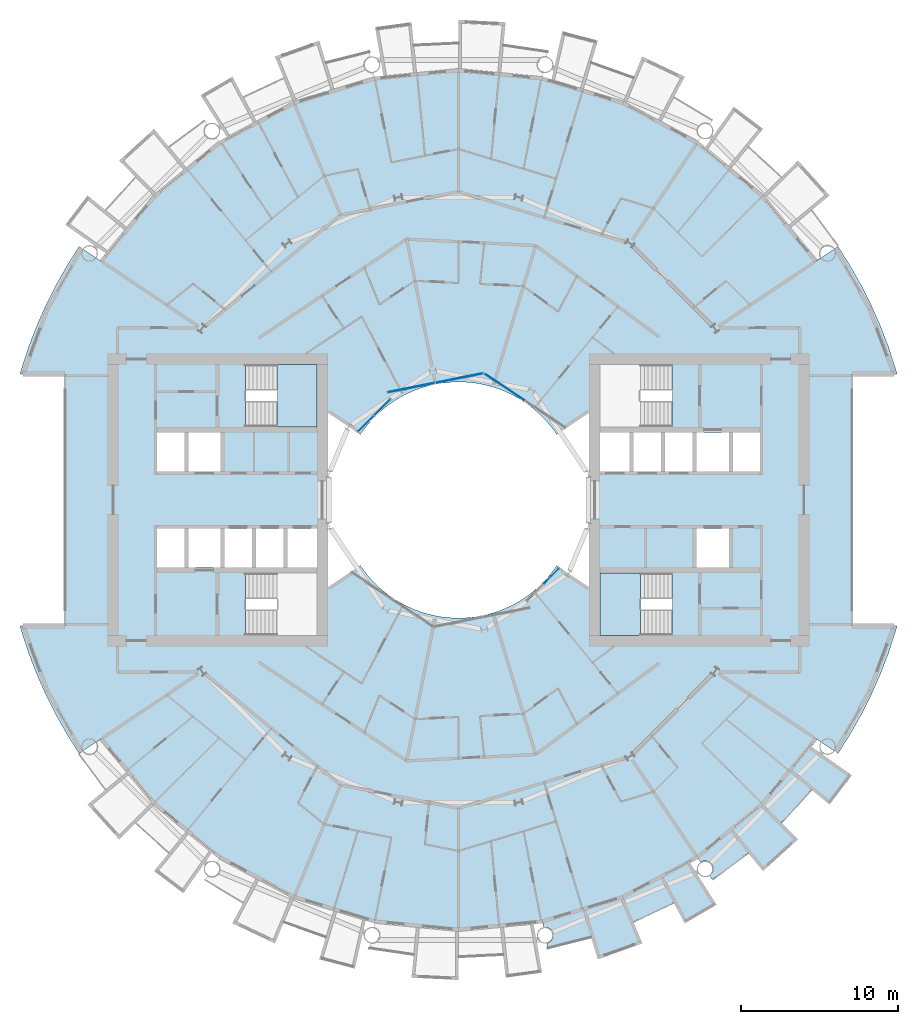
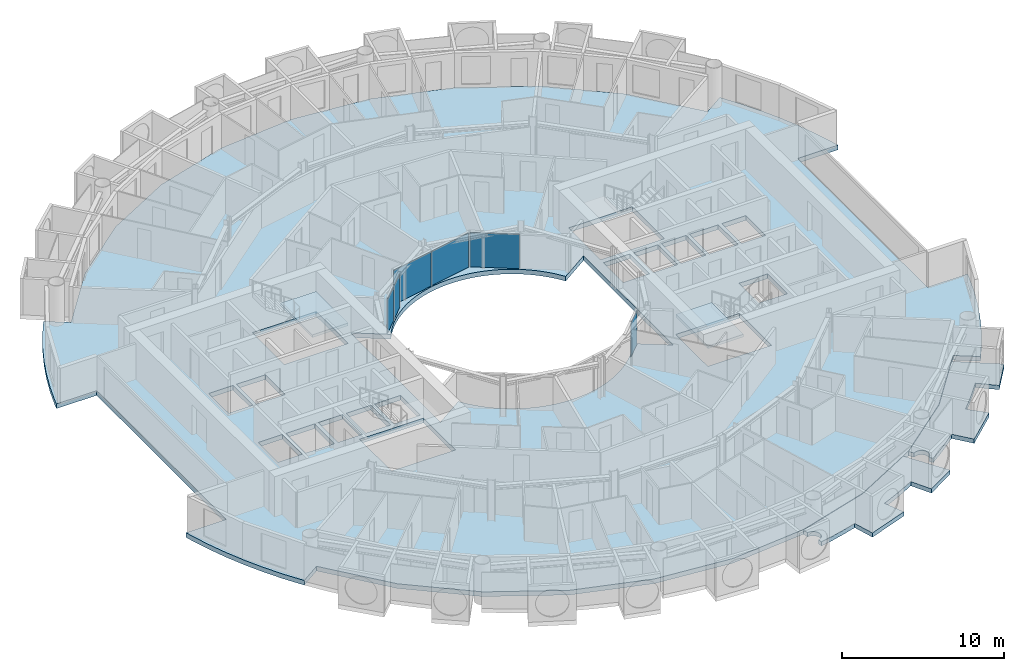
# One storey, part 10 of 26: 6 plates, 5 slabs, 6 elements without a shape of their own.
"""IFC4 building model written with IfcOpenShell, lengths in metres."""

from ifc_helpers import new_model, si_unit, direction, frame, origin, origin_2d, place, context, subcontext, project, spatial, polyline, rectangle, outline, extrude, material, layer, layer_set, type_object, element, aggregate, save


model = new_model("IFC4")

# Units and contexts
model_context = context("Model", 3, precision=1e-05, world=origin(), true_north=direction((0.0, 1.0)))
body_context = subcontext(model_context, "Body", "Model", "MODEL_VIEW")
ifc_project = project(units=[si_unit("LENGTHUNIT", "METRE"), si_unit("AREAUNIT", "SQUARE_METRE"), si_unit("VOLUMEUNIT", "CUBIC_METRE"), si_unit("PLANEANGLEUNIT", "RADIAN"), si_unit("MASSUNIT", "GRAM", prefix="KILO")], contexts=[model_context])

# Site, building, storey
site_placement = place(None, origin())
site = spatial("IfcSite", under=ifc_project, at=site_placement, CompositionType="ELEMENT")
building_placement = place(site_placement, origin())
building = spatial("IfcBuilding", under=site, at=building_placement, Name="Maasbend Ring Residences", CompositionType="ELEMENT")
storey_placement = place(building_placement, frame((0.0, 0.0, 88.0)))
storey = spatial("IfcBuildingStorey", under=building, at=storey_placement, Name="L25", CompositionType="ELEMENT", Elevation=88.0)

# Stair, slab
ifc_material_1 = material(Name="Concrete C40/50", Category="concrete")
stair_type = type_object("IfcStairType", Name="CORE STAIR 18 RISERS", PredefinedType="HALF_TURN_STAIR", material=ifc_material_1)
stair_1_placement = place(storey_placement, origin())
stair_1 = element("IfcStair", 1, at=stair_1_placement, inside=storey, type_object=stair_type, Name="L25 Exit stair ST-E2", PredefinedType="HALF_TURN_STAIR")
ifc_material_2 = material(Name="Concrete C40/50", Category="concrete")
ifc_layer_1 = layer(ifc_material_2, 0.199951171875)
ifc_layer_set_1 = layer_set([ifc_layer_1], Name="Concrete C40/50")
slab_type_1 = type_object("IfcSlabType", Name="CORE STAIR LANDING 200", PredefinedType="LANDING", material=ifc_layer_set_1)
slab_1_placement = place(storey_placement, frame((0.0, 0.0, 1.324951171875)))
slab_1 = element("IfcSlab", 2, at=slab_1_placement, type_object=slab_type_1, Name="ST-E2 landing 1", PredefinedType="LANDING", context=body_context, shape_type="SweptSolid", body=[
    extrude(outline(polyline([(11.550048828125, -4.64990234375), (9.0, -4.64990234375), (9.0, -8.60009765625), (11.550048828125, -8.60009765625), (11.550048828125, -4.64990234375)])), origin(), (0.0, 0.0, 1.0), 0.199951171875),
])
aggregate(stair_1, [slab_1])

stair_2_placement = place(storey_placement, origin())
stair_2 = element("IfcStair", 3, at=stair_2_placement, inside=storey, type_object=stair_type, Name="L25 Exit stair ST-W2", PredefinedType="HALF_TURN_STAIR")
slab_2_placement = place(storey_placement, frame((0.0, 0.0, 1.324951171875)))
slab_2 = element("IfcSlab", 4, at=slab_2_placement, type_object=slab_type_1, Name="ST-W2 landing 1", PredefinedType="LANDING", context=body_context, shape_type="SweptSolid", body=[
    extrude(outline(polyline([(-11.550048828125, 4.64990234375), (-9.0, 4.64990234375), (-9.0, 8.60009765625), (-11.550048828125, 8.60009765625), (-11.550048828125, 4.64990234375)])), origin(), (0.0, 0.0, 1.0), 0.199951171875),
])
aggregate(stair_2, [slab_2])

# Curtain wall, plate
ifc_material_3 = material(Name="Aluminium and clear glass", Category="aluminium")
ifc_layer_2 = layer(ifc_material_3, 0.179931640625)
ifc_layer_set_2 = layer_set([ifc_layer_2], Name="CW-W")
curtain_wall_type = type_object("IfcCurtainWallType", Name="CW-W", PredefinedType="NOTDEFINED", material=ifc_layer_set_2)
curtain_wall_1_placement = place(storey_placement, origin())
curtain_wall_1 = element("IfcCurtainWall", 5, at=curtain_wall_1_placement, inside=storey, type_object=curtain_wall_type, Name="Well curtain wall N1", PredefinedType="NOTDEFINED")
ifc_material_4 = material(Name="Glass clear laminated", Category="glass")
ifc_layer_3 = layer(ifc_material_4, 0.031982421875)
ifc_layer_set_3 = layer_set([ifc_layer_3], Name="CWP-W")
plate_type = type_object("IfcPlateType", Name="CWP-W", PredefinedType="CURTAIN_PANEL", material=ifc_layer_set_3)
plate_1_placement = place(storey_placement, frame((2.922119140625, 7.17578125, 0.0), z_axis=(0.0, 0.0, 1.0), x_axis=(-0.831469612303, 0.55557023302, 0.0)))
plate_1 = element("IfcPlate", 6, at=plate_1_placement, type_object=plate_type, Name="Glass panel well face", PredefinedType="CURTAIN_PANEL", context=body_context, shape_type="SweptSolid", body=[
    extrude(rectangle(XDim=3.053955078125, YDim=0.031982421875, at=origin_2d()), origin(), (0.0, 0.0, 1.0), 2.580078125),
])
aggregate(curtain_wall_1, [plate_1])

# Curtain wall, plates
curtain_wall_2_placement = place(storey_placement, origin())
curtain_wall_2 = element("IfcCurtainWall", 7, at=curtain_wall_2_placement, inside=storey, type_object=curtain_wall_type, Name="Well curtain wall N2", PredefinedType="NOTDEFINED")
plate_2_placement = place(storey_placement, frame((0.04638671875, 7.747802734375, 0.0), z_axis=(0.0, 0.0, 1.0), x_axis=(-0.980785280403, -0.195090322016, 0.0)))
plate_2 = element("IfcPlate", 8, at=plate_2_placement, type_object=plate_type, Name="Glass panel well face", PredefinedType="CURTAIN_PANEL", context=body_context, shape_type="SweptSolid", body=[
    extrude(rectangle(XDim=3.053955078125, YDim=0.031982421875, at=origin_2d()), origin(), (0.0, 0.0, 1.0), 2.580078125),
])
plate_3_placement = place(storey_placement, frame((-3.0078125, 7.140380859375, 0.0), z_axis=(0.0, 0.0, 1.0), x_axis=(-0.980785280403, -0.195090322016, 0.0)))
plate_3 = element("IfcPlate", 9, at=plate_3_placement, type_object=plate_type, Name="Glass panel well face", PredefinedType="CURTAIN_PANEL", context=body_context, shape_type="SweptSolid", body=[
    extrude(rectangle(XDim=3.053955078125, YDim=0.031982421875, at=origin_2d()), origin(), (0.0, 0.0, 1.0), 2.580078125),
])
aggregate(curtain_wall_2, [plate_2, plate_3])

curtain_wall_3_placement = place(storey_placement, origin())
curtain_wall_3 = element("IfcCurtainWall", 10, at=curtain_wall_3_placement, inside=storey, type_object=curtain_wall_type, Name="Well curtain wall N3", PredefinedType="NOTDEFINED")
plate_4_placement = place(storey_placement, frame((-4.84375, 5.89013671875, 0.0), z_axis=(0.0, 0.0, 1.0), x_axis=(-0.707106781187, -0.707106781187, 0.0)))
plate_4 = element("IfcPlate", 11, at=plate_4_placement, type_object=plate_type, Name="Glass panel well face", PredefinedType="CURTAIN_PANEL", context=body_context, shape_type="SweptSolid", body=[
    extrude(rectangle(XDim=1.419677734375, YDim=0.031982421875, at=origin_2d()), origin(), (0.0, 0.0, 1.0), 2.580078125),
])
plate_5_placement = place(storey_placement, frame((-5.89013671875, 4.84375, 0.0), z_axis=(0.0, 0.0, 1.0), x_axis=(-0.707106781187, -0.707106781187, 0.0)))
plate_5 = element("IfcPlate", 12, at=plate_5_placement, type_object=plate_type, Name="Glass panel well face", PredefinedType="CURTAIN_PANEL", context=body_context, shape_type="SweptSolid", body=[
    extrude(rectangle(XDim=1.419677734375, YDim=0.031982421875, at=origin_2d()), origin(), (0.0, 0.0, 1.0), 2.580078125),
])
aggregate(curtain_wall_3, [plate_4, plate_5])

# Curtain wall, plate
curtain_wall_4_placement = place(storey_placement, origin())
curtain_wall_4 = element("IfcCurtainWall", 13, at=curtain_wall_4_placement, inside=storey, type_object=curtain_wall_type, Name="Well curtain wall S3", PredefinedType="NOTDEFINED")
plate_6_placement = place(storey_placement, frame((5.89013671875, -4.84375, 0.0), z_axis=(0.0, 0.0, 1.0), x_axis=(0.707106781187, 0.707106781187, 0.0)))
plate_6 = element("IfcPlate", 14, at=plate_6_placement, type_object=plate_type, Name="Glass panel well face", PredefinedType="CURTAIN_PANEL", context=body_context, shape_type="SweptSolid", body=[
    extrude(rectangle(XDim=1.419677734375, YDim=0.031982421875, at=origin_2d()), origin(), (0.0, 0.0, 1.0), 2.580078125),
])
aggregate(curtain_wall_4, [plate_6])

# Slabs
ifc_material_5 = material(Name="Concrete C40/50", Category="concrete")
ifc_layer_4 = layer(ifc_material_5, 0.35009765625)
ifc_layer_set_4 = layer_set([ifc_layer_4], Name="Concrete C40/50")
slab_type_2 = type_object("IfcSlabType", Name="Post-tensioned flat plate 350", PredefinedType="FLOOR", material=ifc_layer_set_4)
slab_3_placement = place(storey_placement, frame((0.0, 0.0, -0.35009765625)))
element("IfcSlab", 15, at=slab_3_placement, inside=storey, type_object=slab_type_2, Name="Floor slab L25", PredefinedType="FLOOR", context=body_context, shape_type="SweptSolid", body=[
    extrude(outline(polyline([(24.8740234375, -14.908935546875), (25.57568359375, -13.67041015625), (26.2158203125, -12.399169921875), (26.79248046875, -11.097900390625), (27.3046875, -9.769775390625), (27.751220703125, -8.418212890625), (27.866943359375, -8.0), (25.0, -8.0), (25.0, 8.0), (27.866943359375, 8.0), (27.751220703125, 8.418212890625), (27.3046875, 9.769775390625), (26.79248046875, 11.097900390625), (26.2158203125, 12.399169921875), (25.57568359375, 13.67041015625), (24.8740234375, 14.908935546875), (24.112548828125, 16.111572265625), (22.69921875, 15.1669921875), (19.303955078125, 19.303955078125), (15.1669921875, 22.69921875), (10.447265625, 25.221923828125), (5.325927734375, 26.775390625), (0.0, 27.300048828125), (-5.325927734375, 26.775390625), (-10.447265625, 25.221923828125), (-15.1669921875, 22.69921875), (-19.303955078125, 19.303955078125), (-22.69921875, 15.1669921875), (-24.112548828125, 16.111572265625), (-24.8740234375, 14.908935546875), (-25.57568359375, 13.67041015625), (-26.2158203125, 12.399169921875), (-26.79248046875, 11.097900390625), (-27.3046875, 9.769775390625), (-27.751220703125, 8.418212890625), (-27.866943359375, 8.0), (-25.0, 8.0), (-25.0, -8.0), (-27.866943359375, -8.0), (-27.751220703125, -8.418212890625), (-27.3046875, -9.769775390625), (-26.79248046875, -11.097900390625), (-26.2158203125, -12.399169921875), (-25.57568359375, -13.67041015625), (-24.8740234375, -14.908935546875), (-24.112548828125, -16.111572265625), (-22.69921875, -15.1669921875), (-19.303955078125, -19.303955078125), (-15.1669921875, -22.69921875), (-10.447265625, -25.221923828125), (-5.325927734375, -26.775390625), (0.0, -27.300048828125), (5.325927734375, -26.775390625), (10.447265625, -25.221923828125), (15.1669921875, -22.69921875), (19.303955078125, -19.303955078125), (22.69921875, -15.1669921875), (24.112548828125, -16.111572265625), (24.8740234375, -14.908935546875)]), holes=[polyline([(17.425048828125, 4.27490234375), (19.14990234375, 4.27490234375), (19.14990234375, 1.824951171875), (17.425048828125, 1.824951171875), (17.425048828125, 4.27490234375)]), polyline([(15.125, 1.824951171875), (15.125, 4.27490234375), (17.175048828125, 4.27490234375), (17.175048828125, 1.824951171875), (15.125, 1.824951171875)]), polyline([(15.125, -4.27490234375), (15.125, -1.824951171875), (17.175048828125, -1.824951171875), (17.175048828125, -4.27490234375), (15.125, -4.27490234375)]), polyline([(13.125, 1.824951171875), (13.125, 4.27490234375), (14.875, 4.27490234375), (14.875, 1.824951171875), (13.125, 1.824951171875)]), polyline([(13.550048828125, 4.64990234375), (9.0, 4.64990234375), (9.0, 8.60009765625), (13.550048828125, 8.60009765625), (13.550048828125, 4.64990234375)]), polyline([(13.550048828125, -4.64990234375), (13.550048828125, -8.60009765625), (9.0, -8.60009765625), (9.0, -4.64990234375), (13.550048828125, -4.64990234375)]), polyline([(11.125, 1.824951171875), (11.125, 4.27490234375), (12.875, 4.27490234375), (12.875, 1.824951171875), (11.125, 1.824951171875)]), polyline([(9.0, 1.824951171875), (9.0, 4.27490234375), (10.875, 4.27490234375), (10.875, 1.824951171875), (9.0, 1.824951171875)]), polyline([(6.024169921875, 4.4677734375), (6.236083984375, 4.166748046875), (8.300048828125, 5.5458984375), (8.300048828125, -5.5458984375), (6.236083984375, -4.166748046875), (6.024169921875, -4.4677734375), (5.797607421875, -4.7578125), (5.55712890625, -5.03662109375), (5.30322265625, -5.30322265625), (5.03662109375, -5.55712890625), (4.7578125, -5.797607421875), (4.4677734375, -6.024169921875), (4.166748046875, -6.236083984375), (3.855712890625, -6.43310546875), (3.535400390625, -6.614501953125), (3.206787109375, -6.77978515625), (2.8701171875, -6.92919921875), (2.526611328125, -7.0615234375), (2.177001953125, -7.177001953125), (1.822509765625, -7.275146484375), (1.463134765625, -7.35595703125), (1.1005859375, -7.418701171875), (0.735107421875, -7.4638671875), (0.367919921875, -7.490966796875), (0.0, -7.5), (-0.367919921875, -7.490966796875), (-0.735107421875, -7.4638671875), (-1.1005859375, -7.418701171875), (-1.463134765625, -7.35595703125), (-1.822509765625, -7.275146484375), (-2.177001953125, -7.177001953125), (-2.526611328125, -7.0615234375), (-2.8701171875, -6.92919921875), (-3.206787109375, -6.77978515625), (-3.535400390625, -6.614501953125), (-3.855712890625, -6.43310546875), (-4.166748046875, -6.236083984375), (-4.4677734375, -6.024169921875), (-4.7578125, -5.797607421875), (-5.03662109375, -5.55712890625), (-5.30322265625, -5.30322265625), (-5.55712890625, -5.03662109375), (-5.797607421875, -4.7578125), (-6.024169921875, -4.4677734375), (-6.236083984375, -4.166748046875), (-8.300048828125, -5.5458984375), (-8.300048828125, 5.5458984375), (-6.236083984375, 4.166748046875), (-6.236083984375, 4.166748046875), (-6.024169921875, 4.4677734375), (-5.797607421875, 4.7578125), (-5.55712890625, 5.03662109375), (-5.30322265625, 5.30322265625), (-5.03662109375, 5.55712890625), (-4.7578125, 5.797607421875), (-4.4677734375, 6.024169921875), (-4.166748046875, 6.236083984375), (-3.855712890625, 6.43310546875), (-3.535400390625, 6.614501953125), (-3.206787109375, 6.77978515625), (-2.8701171875, 6.92919921875), (-2.526611328125, 7.0615234375), (-2.177001953125, 7.177001953125), (-1.822509765625, 7.275146484375), (-1.463134765625, 7.35595703125), (-1.1005859375, 7.418701171875), (-0.735107421875, 7.4638671875), (-0.367919921875, 7.490966796875), (0.0, 7.5), (0.367919921875, 7.490966796875), (0.735107421875, 7.4638671875), (1.1005859375, 7.418701171875), (1.463134765625, 7.35595703125), (1.822509765625, 7.275146484375), (2.177001953125, 7.177001953125), (2.526611328125, 7.0615234375), (2.8701171875, 6.92919921875), (3.206787109375, 6.77978515625), (3.535400390625, 6.614501953125), (3.855712890625, 6.43310546875), (4.166748046875, 6.236083984375), (4.4677734375, 6.024169921875), (4.7578125, 5.797607421875), (5.03662109375, 5.55712890625), (5.30322265625, 5.30322265625), (5.55712890625, 5.03662109375), (5.797607421875, 4.7578125), (6.024169921875, 4.4677734375)]), polyline([(-13.550048828125, 4.64990234375), (-13.550048828125, 8.60009765625), (-9.0, 8.60009765625), (-9.0, 4.64990234375), (-13.550048828125, 4.64990234375)]), polyline([(-13.550048828125, -8.60009765625), (-13.550048828125, -4.64990234375), (-9.0, -4.64990234375), (-9.0, -8.60009765625), (-13.550048828125, -8.60009765625)]), polyline([(-9.0, -1.824951171875), (-9.0, -4.27490234375), (-10.875, -4.27490234375), (-10.875, -1.824951171875), (-9.0, -1.824951171875)]), polyline([(-11.125, -1.824951171875), (-11.125, -4.27490234375), (-12.875, -4.27490234375), (-12.875, -1.824951171875), (-11.125, -1.824951171875)]), polyline([(-13.125, -1.824951171875), (-13.125, -4.27490234375), (-14.875, -4.27490234375), (-14.875, -1.824951171875), (-13.125, -1.824951171875)]), polyline([(-15.125, 4.27490234375), (-15.125, 1.824951171875), (-17.175048828125, 1.824951171875), (-17.175048828125, 4.27490234375), (-15.125, 4.27490234375)]), polyline([(-15.125, -1.824951171875), (-15.125, -4.27490234375), (-17.175048828125, -4.27490234375), (-17.175048828125, -1.824951171875), (-15.125, -1.824951171875)]), polyline([(-17.425048828125, -1.824951171875), (-17.425048828125, -4.27490234375), (-19.14990234375, -4.27490234375), (-19.14990234375, -1.824951171875), (-17.425048828125, -1.824951171875)]), polyline([(-17.425048828125, 4.27490234375), (-17.425048828125, 1.824951171875), (-19.14990234375, 1.824951171875), (-19.14990234375, 4.27490234375), (-17.425048828125, 4.27490234375)])]), origin(), (0.0, 0.0, 1.0), 0.35009765625),
])
ifc_material_6 = material(Name="Concrete C40/50", Category="concrete")
ifc_layer_5 = layer(ifc_material_6, 0.199951171875)
ifc_layer_set_5 = layer_set([ifc_layer_5], Name="Concrete C40/50")
slab_type_3 = type_object("IfcSlabType", Name="SL-LOGGIA", PredefinedType="FLOOR", material=ifc_layer_set_5)
slab_4_placement = place(storey_placement, frame((0.0, 0.0, -0.35009765625)))
element("IfcSlab", 16, at=slab_4_placement, inside=storey, type_object=slab_type_3, Name="Loggia floor 2", PredefinedType="FLOOR", context=body_context, shape_type="SweptSolid", body=[
    extrude(outline(polyline([(10.447021484375, -25.221923828125), (12.806884765625, -23.9609375), (14.64599609375, -22.97705078125), (14.64599609375, -22.97705078125), (14.64599609375, -22.97705078125), (16.39404296875, -25.718994140625), (16.39404296875, -25.718994140625), (16.39404296875, -25.718994140625), (14.3779296875, -26.89892578125), (14.3779296875, -26.89892578125), (14.3779296875, -26.89892578125), (13.6708984375, -25.575927734375), (13.6708984375, -25.575927734375), (13.6708984375, -25.575927734375), (13.6708984375, -25.575927734375), (13.6708984375, -25.575927734375), (13.6708984375, -25.575927734375), (13.6708984375, -25.575927734375), (13.669921875, -25.575927734375), (13.669921875, -25.575927734375), (13.669921875, -25.575927734375), (13.669921875, -25.575927734375), (13.669921875, -25.575927734375), (13.669921875, -25.575927734375), (13.669921875, -25.575927734375), (13.669921875, -25.575927734375), (13.669921875, -25.575927734375), (13.669921875, -25.575927734375), (12.825927734375, -26.009033203125), (12.825927734375, -26.009033203125), (11.968994140625, -26.4150390625), (11.968994140625, -26.4150390625), (11.097900390625, -26.7919921875), (11.097900390625, -26.7919921875), (11.097900390625, -26.7919921875), (11.097900390625, -26.7919921875), (11.097900390625, -26.7919921875), (11.097900390625, -26.7919921875), (11.097900390625, -26.7919921875), (11.097900390625, -26.79296875), (11.097900390625, -26.79296875), (11.097900390625, -26.79296875), (11.097900390625, -26.79296875), (11.097900390625, -26.79296875), (11.097900390625, -26.79296875), (11.097900390625, -26.79296875), (11.097900390625, -26.79296875), (11.097900390625, -26.79296875), (11.097900390625, -26.79296875), (11.672119140625, -28.177978515625), (11.672119140625, -28.177978515625), (11.672119140625, -28.177978515625), (8.85400390625, -29.18701171875), (8.85400390625, -29.18701171875), (8.85400390625, -29.18701171875), (8.41796875, -27.751953125), (8.41796875, -27.751953125), (8.41796875, -27.751953125), (8.41796875, -27.751953125), (8.41796875, -27.751953125), (8.41796875, -27.751953125), (8.41796875, -27.751953125), (8.41796875, -27.7509765625), (8.41796875, -27.7509765625), (8.41796875, -27.7509765625), (8.41796875, -27.7509765625), (8.41796875, -27.7509765625), (8.41796875, -27.7509765625), (8.41796875, -27.7509765625), (8.41796875, -27.7509765625), (8.41796875, -27.7509765625), (8.41796875, -27.7509765625), (7.506103515625, -28.011962890625), (7.506103515625, -28.011962890625), (6.5849609375, -28.241943359375), (6.5849609375, -28.241943359375), (5.657958984375, -28.443115234375), (5.657958984375, -28.443115234375), (5.657958984375, -28.443115234375), (5.60107421875, -28.156005859375), (5.613037109375, -28.154052734375), (5.625, -28.15087890625), (5.636962890625, -28.14794921875), (5.64892578125, -28.14404296875), (5.660888671875, -28.139892578125), (5.673095703125, -28.135986328125), (5.68408203125, -28.132080078125), (5.696044921875, -28.126953125), (5.70703125, -28.123046875), (5.718994140625, -28.116943359375), (5.72998046875, -28.112060546875), (5.740966796875, -28.10595703125), (5.751953125, -28.10009765625), (5.762939453125, -28.093994140625), (5.77294921875, -28.0869140625), (5.783935546875, -28.080078125), (5.7939453125, -28.072998046875), (5.803955078125, -28.06591796875), (5.81396484375, -28.05908203125), (5.823974609375, -28.051025390625), (5.8330078125, -28.04296875), (5.843017578125, -28.034912109375), (5.85205078125, -28.02587890625), (5.861083984375, -28.01708984375), (5.868896484375, -28.008056640625), (5.8779296875, -27.9990234375), (5.885986328125, -27.989990234375), (5.89404296875, -27.97998046875), (5.902099609375, -27.970947265625), (5.909912109375, -27.9609375), (5.9169921875, -27.950927734375), (5.924072265625, -27.93994140625), (5.930908203125, -27.929931640625), (5.93701171875, -27.9189453125), (5.944091796875, -27.907958984375), (5.949951171875, -27.89794921875), (5.955078125, -27.886962890625), (5.9609375, -27.875), (5.966064453125, -27.864013671875), (5.970947265625, -27.85302734375), (5.97509765625, -27.841064453125), (5.97998046875, -27.8291015625), (5.98388671875, -27.81689453125), (5.988037109375, -27.805908203125), (5.990966796875, -27.7939453125), (5.993896484375, -27.781982421875), (5.9970703125, -27.76904296875), (6.0, -27.757080078125), (6.001953125, -27.7451171875), (6.00390625, -27.73291015625), (6.006103515625, -27.719970703125), (6.007080078125, -27.7080078125), (6.008056640625, -27.695068359375), (6.009033203125, -27.68310546875), (6.009033203125, -27.6708984375), (6.010009765625, -27.657958984375), (6.009033203125, -27.64599609375), (6.009033203125, -27.633056640625), (6.008056640625, -27.62109375), (6.007080078125, -27.60791015625), (6.006103515625, -27.595947265625), (6.00390625, -27.583984375), (6.001953125, -27.571044921875), (6.0, -27.55908203125), (5.9970703125, -27.547119140625), (5.993896484375, -27.534912109375), (5.990966796875, -27.52294921875), (5.988037109375, -27.510986328125), (5.98388671875, -27.4990234375), (5.97998046875, -27.487060546875), (5.97509765625, -27.47509765625), (5.970947265625, -27.464111328125), (5.966064453125, -27.451904296875), (5.9609375, -27.44091796875), (5.955078125, -27.429931640625), (5.949951171875, -27.4189453125), (5.944091796875, -27.407958984375), (5.93701171875, -27.39697265625), (5.930908203125, -27.385986328125), (5.924072265625, -27.3759765625), (5.9169921875, -27.365966796875), (5.909912109375, -27.35498046875), (5.902099609375, -27.345947265625), (5.89404296875, -27.3359375), (5.885986328125, -27.325927734375), (5.8779296875, -27.31689453125), (5.868896484375, -27.30810546875), (5.861083984375, -27.299072265625), (5.85205078125, -27.2900390625), (5.843017578125, -27.281982421875), (5.8330078125, -27.27294921875), (5.823974609375, -27.264892578125), (5.81396484375, -27.258056640625), (5.803955078125, -27.25), (5.7939453125, -27.242919921875), (5.783935546875, -27.236083984375), (5.77294921875, -27.22900390625), (5.762939453125, -27.221923828125), (5.751953125, -27.216064453125), (5.740966796875, -27.2099609375), (5.72998046875, -27.2041015625), (5.718994140625, -27.198974609375), (5.70703125, -27.194091796875), (5.696044921875, -27.18896484375), (5.68408203125, -27.18408203125), (5.673095703125, -27.179931640625), (5.660888671875, -27.176025390625), (5.64892578125, -27.172119140625), (5.636962890625, -27.1689453125), (5.625, -27.1650390625), (5.613037109375, -27.162109375), (5.60107421875, -27.159912109375), (5.587890625, -27.157958984375), (5.575927734375, -27.156005859375), (5.56396484375, -27.154052734375), (5.551025390625, -27.153076171875), (5.5390625, -27.15087890625), (5.52587890625, -27.15087890625), (5.513916015625, -27.14990234375), (5.501953125, -27.14990234375), (5.489013671875, -27.14990234375), (5.47705078125, -27.15087890625), (5.464111328125, -27.15087890625), (5.451904296875, -27.153076171875), (5.43896484375, -27.154052734375), (5.427001953125, -27.156005859375), (5.4150390625, -27.157958984375), (5.402099609375, -27.159912109375), (5.325927734375, -26.77490234375), (5.325927734375, -26.77490234375), (5.325927734375, -26.77490234375), (7.886962890625, -25.9990234375), (10.447021484375, -25.221923828125), (10.447021484375, -25.221923828125), (10.447021484375, -25.221923828125)])), origin(), (0.0, 0.0, 1.0), 0.320068359375),
])
slab_5_placement = place(storey_placement, frame((0.0, 0.0, -0.35009765625)))
element("IfcSlab", 17, at=slab_5_placement, inside=storey, type_object=slab_type_3, Name="Loggia floor 5", PredefinedType="FLOOR", context=body_context, shape_type="SweptSolid", body=[
    extrude(outline(polyline([(19.303955078125, -19.303955078125), (21.001953125, -17.236083984375), (22.324951171875, -15.623046875), (22.324951171875, -15.623046875), (22.324951171875, -15.623046875), (24.989013671875, -17.488037109375), (24.989013671875, -17.488037109375), (24.989013671875, -17.488037109375), (23.576904296875, -19.34912109375), (23.576904296875, -19.34912109375), (23.576904296875, -19.34912109375), (22.41796875, -18.39794921875), (22.41796875, -18.39794921875), (22.41796875, -18.39794921875), (22.41796875, -18.39794921875), (22.41796875, -18.39794921875), (22.4169921875, -18.39794921875), (22.4169921875, -18.39794921875), (22.4169921875, -18.39794921875), (22.4169921875, -18.39794921875), (22.4169921875, -18.39794921875), (22.4169921875, -18.39794921875), (22.4169921875, -18.39794921875), (22.4169921875, -18.39794921875), (22.4169921875, -18.39794921875), (22.4169921875, -18.39794921875), (22.4169921875, -18.39794921875), (22.4169921875, -18.39794921875), (21.802978515625, -19.12109375), (21.802978515625, -19.12109375), (21.166015625, -19.823974609375), (21.166015625, -19.823974609375), (20.506103515625, -20.506103515625), (20.506103515625, -20.506103515625), (20.506103515625, -20.506103515625), (20.506103515625, -20.506103515625), (20.506103515625, -20.506103515625), (20.506103515625, -20.506103515625), (20.506103515625, -20.506103515625), (20.506103515625, -20.506103515625), (20.506103515625, -20.506103515625), (20.506103515625, -20.506103515625), (20.506103515625, -20.506103515625), (20.506103515625, -20.506103515625), (20.506103515625, -20.506103515625), (20.506103515625, -20.506103515625), (20.506103515625, -20.506103515625), (20.506103515625, -20.506103515625), (20.506103515625, -20.506103515625), (21.56689453125, -21.56689453125), (21.56689453125, -21.56689453125), (21.56689453125, -21.56689453125), (19.34912109375, -23.576904296875), (19.34912109375, -23.576904296875), (19.34912109375, -23.576904296875), (18.39794921875, -22.41796875), (18.39794921875, -22.41796875), (18.39794921875, -22.41796875), (18.39794921875, -22.41796875), (18.39794921875, -22.41796875), (18.39794921875, -22.41796875), (18.39697265625, -22.41796875), (18.39697265625, -22.41796875), (18.39697265625, -22.41796875), (18.39697265625, -22.41796875), (18.39697265625, -22.41796875), (18.39697265625, -22.41796875), (18.39697265625, -22.41796875), (18.39697265625, -22.41796875), (18.39697265625, -22.41796875), (18.39697265625, -22.41796875), (18.39697265625, -22.41796875), (17.654052734375, -23.007080078125), (17.654052734375, -23.007080078125), (16.89208984375, -23.572998046875), (16.89208984375, -23.572998046875), (16.112060546875, -24.113037109375), (16.112060546875, -24.113037109375), (16.112060546875, -24.113037109375), (15.948974609375, -23.8701171875), (15.948974609375, -23.8701171875), (15.9599609375, -23.863037109375), (15.969970703125, -23.85498046875), (15.97998046875, -23.847900390625), (15.989013671875, -23.840087890625), (15.9990234375, -23.83203125), (16.008056640625, -23.823974609375), (16.01708984375, -23.81494140625), (16.02587890625, -23.806884765625), (16.034912109375, -23.798095703125), (16.0439453125, -23.7890625), (16.052001953125, -23.779052734375), (16.06005859375, -23.77001953125), (16.068115234375, -23.760009765625), (16.074951171875, -23.75), (16.08203125, -23.739990234375), (16.089111328125, -23.72998046875), (16.095947265625, -23.718994140625), (16.10302734375, -23.708984375), (16.10888671875, -23.697998046875), (16.114990234375, -23.68701171875), (16.12109375, -23.676025390625), (16.1259765625, -23.6650390625), (16.132080078125, -23.653076171875), (16.135986328125, -23.64208984375), (16.14111328125, -23.6298828125), (16.14501953125, -23.618896484375), (16.14892578125, -23.60693359375), (16.153076171875, -23.594970703125), (16.156982421875, -23.5830078125), (16.159912109375, -23.571044921875), (16.1630859375, -23.55908203125), (16.1650390625, -23.547119140625), (16.16796875, -23.533935546875), (16.169921875, -23.52197265625), (16.1708984375, -23.510009765625), (16.173095703125, -23.4970703125), (16.174072265625, -23.485107421875), (16.174072265625, -23.471923828125), (16.175048828125, -23.4599609375), (16.175048828125, -23.447021484375), (16.175048828125, -23.43505859375), (16.174072265625, -23.422119140625), (16.174072265625, -23.409912109375), (16.173095703125, -23.39794921875), (16.1708984375, -23.385009765625), (16.169921875, -23.373046875), (16.16796875, -23.361083984375), (16.1650390625, -23.347900390625), (16.1630859375, -23.3359375), (16.159912109375, -23.323974609375), (16.156982421875, -23.31201171875), (16.153076171875, -23.300048828125), (16.14892578125, -23.2880859375), (16.14501953125, -23.27587890625), (16.14111328125, -23.264892578125), (16.135986328125, -23.2529296875), (16.132080078125, -23.241943359375), (16.1259765625, -23.22998046875), (16.12109375, -23.218994140625), (16.114990234375, -23.2080078125), (16.10888671875, -23.197021484375), (16.10302734375, -23.18603515625), (16.095947265625, -23.176025390625), (16.089111328125, -23.1650390625), (16.08203125, -23.155029296875), (16.074951171875, -23.14501953125), (16.068115234375, -23.135009765625), (16.06005859375, -23.125), (16.052001953125, -23.115966796875), (16.0439453125, -23.10595703125), (16.034912109375, -23.096923828125), (16.02587890625, -23.087890625), (16.01708984375, -23.0791015625), (16.008056640625, -23.071044921875), (15.9990234375, -23.06298828125), (15.989013671875, -23.054931640625), (15.97998046875, -23.047119140625), (15.969970703125, -23.0390625), (15.9599609375, -23.031982421875), (15.948974609375, -23.02490234375), (15.93896484375, -23.01806640625), (15.927978515625, -23.011962890625), (15.9169921875, -23.0048828125), (15.906982421875, -22.9990234375), (15.89599609375, -22.993896484375), (15.884033203125, -22.988037109375), (15.873046875, -22.98291015625), (15.862060546875, -22.97802734375), (15.85009765625, -22.972900390625), (15.837890625, -22.968994140625), (15.825927734375, -22.965087890625), (15.81494140625, -22.9609375), (15.802978515625, -22.9580078125), (15.791015625, -22.955078125), (15.778076171875, -22.951904296875), (15.76611328125, -22.948974609375), (15.75390625, -22.947021484375), (15.741943359375, -22.945068359375), (15.72900390625, -22.943115234375), (15.717041015625, -22.94189453125), (15.7041015625, -22.94091796875), (15.69189453125, -22.93994140625), (15.679931640625, -22.93994140625), (15.6669921875, -22.93896484375), (15.655029296875, -22.93994140625), (15.64208984375, -22.93994140625), (15.6298828125, -22.94091796875), (15.616943359375, -22.94189453125), (15.60498046875, -22.943115234375), (15.593017578125, -22.945068359375), (15.580078125, -22.947021484375), (15.568115234375, -22.948974609375), (15.555908203125, -22.951904296875), (15.5439453125, -22.955078125), (15.531982421875, -22.9580078125), (15.52001953125, -22.9609375), (15.508056640625, -22.965087890625), (15.49609375, -22.968994140625), (15.48388671875, -22.972900390625), (15.472900390625, -22.97802734375), (15.4609375, -22.98291015625), (15.449951171875, -22.988037109375), (15.43896484375, -22.993896484375), (15.427978515625, -22.9990234375), (15.4169921875, -23.0048828125), (15.406005859375, -23.011962890625), (15.39501953125, -23.01806640625), (15.385009765625, -23.02490234375), (15.385009765625, -23.02490234375), (15.1669921875, -22.698974609375), (15.1669921875, -22.698974609375), (15.1669921875, -22.698974609375), (17.236083984375, -21.001953125), (19.303955078125, -19.303955078125), (19.303955078125, -19.303955078125), (19.303955078125, -19.303955078125)])), origin(), (0.0, 0.0, 1.0), 0.320068359375),
])

save(model, "model.ifc")
